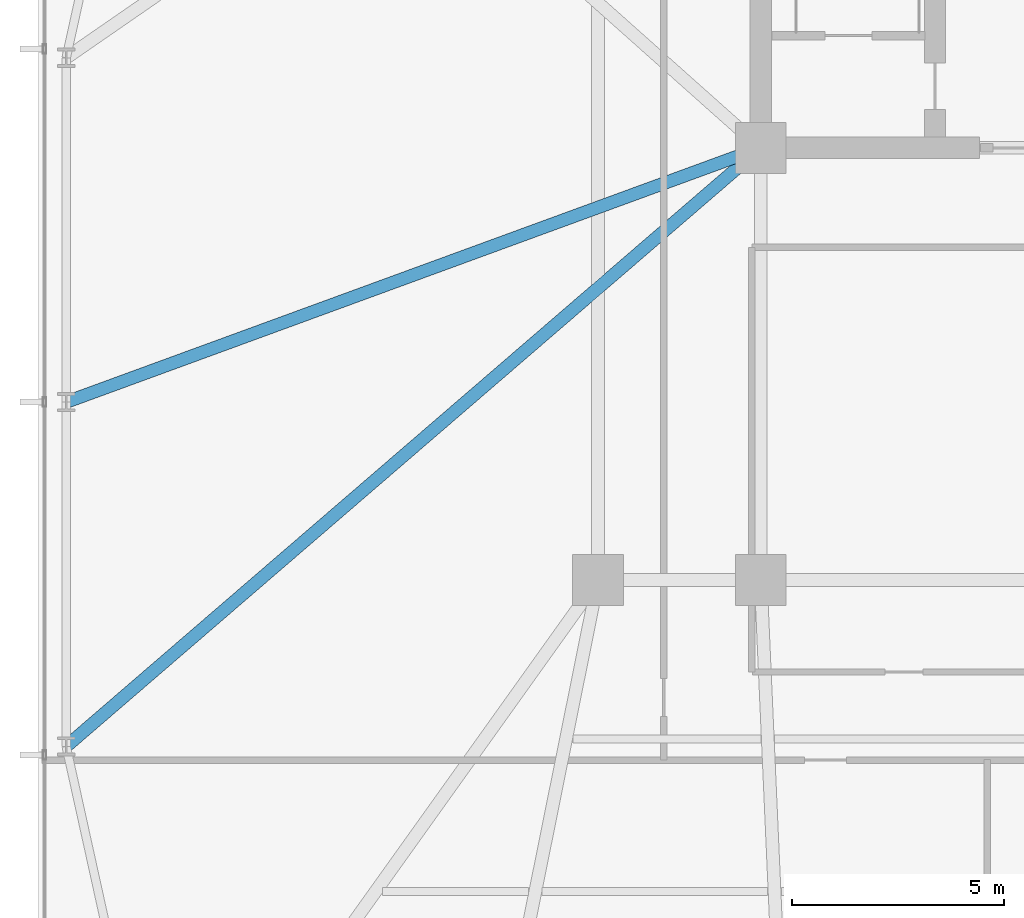
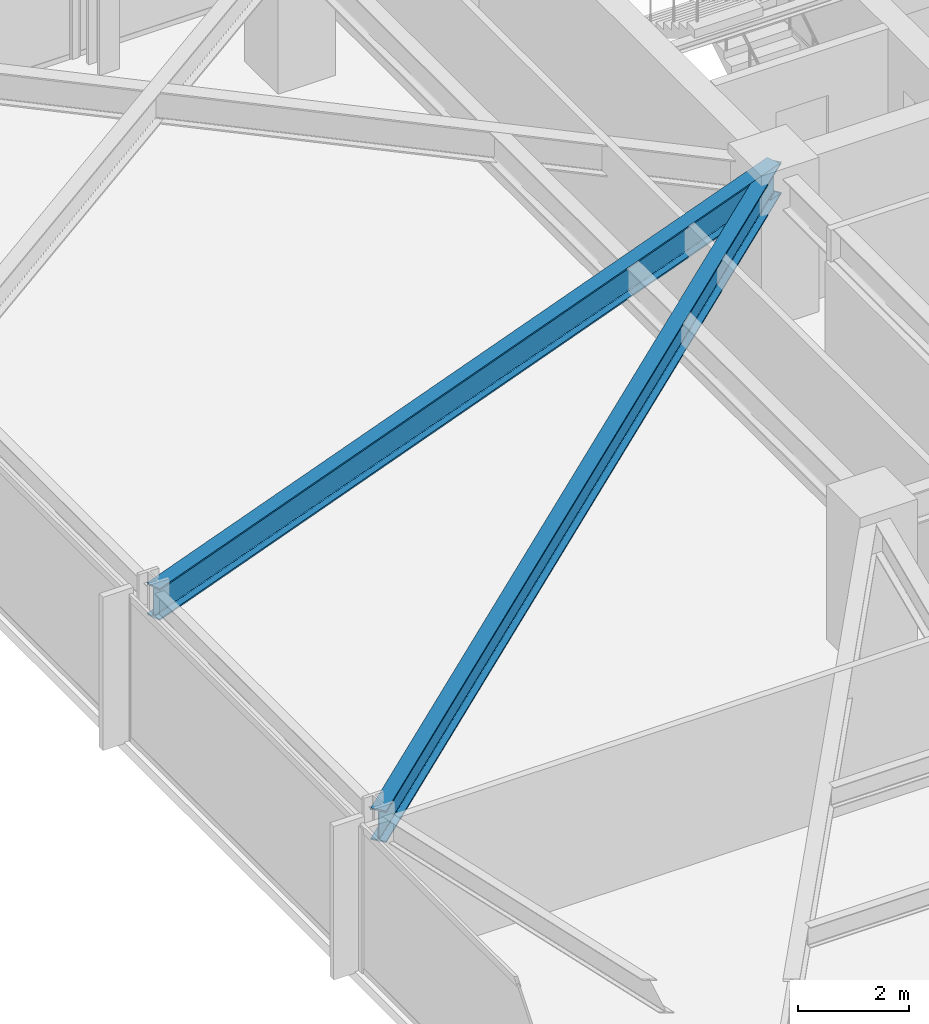
# One storey, part 8 of 32: 2 beams.
"""IFC4 building model written with IfcOpenShell, lengths in metres."""

from ifc_helpers import new_model, si_unit, direction, frame, origin, origin_2d, place, context, subcontext, project, spatial, i_section, extrude, material, material_profile, profile_set, type_object, element, save


model = new_model("IFC4")

# Units and contexts
model_context = context("Model", 3, precision=1e-05, world=origin(), true_north=direction((0.0, 1.0)))
body_context = subcontext(model_context, "Body", "Model", "MODEL_VIEW")
ifc_project = project(units=[si_unit("LENGTHUNIT", "METRE"), si_unit("AREAUNIT", "SQUARE_METRE"), si_unit("VOLUMEUNIT", "CUBIC_METRE"), si_unit("PLANEANGLEUNIT", "RADIAN"), si_unit("MASSUNIT", "GRAM", prefix="KILO")], contexts=[model_context])

# Site, building, storey
site_placement = place(None, origin())
site = spatial("IfcSite", under=ifc_project, at=site_placement, CompositionType="ELEMENT")
building_placement = place(site_placement, origin())
building = spatial("IfcBuilding", under=site, at=building_placement, Name="Yelkora Congress Tower", CompositionType="ELEMENT")
storey_placement = place(building_placement, frame((0.0, 0.0, 40.60009765625)))
storey = spatial("IfcBuildingStorey", under=building, at=storey_placement, Name="L09", CompositionType="ELEMENT", Elevation=40.60009765625)

# Beams
ifc_material = material(Name="Steel S355J2", Category="steel")
ifc_material_profile = material_profile(ifc_material, i_section(OverallWidth=0.300048828125, OverallDepth=0.699951171875, WebThickness=0.01708984375, FlangeThickness=0.031982421875, FilletRadius=0.027099609375, at=origin_2d()), Name="HEB 700")
ifc_profile_set = profile_set([ifc_material_profile], Name="Steel S355J2")
beam_type = type_object("IfcBeamType", Name="BM-GIRD-HEB700", PredefinedType="BEAM", material=ifc_profile_set)
beam_1_placement = place(storey_placement, frame((6.64990234375, 21.27490234375, 2.829833984375), z_axis=(0.757511165967, 0.652822206604, 0.0), x_axis=(-0.652822206604, 0.757511165967, 0.0)))
element("IfcBeam", 1, at=beam_1_placement, inside=storey, type_object=beam_type, Name="L09 Primary Frame Girder W01", PredefinedType="BEAM", context=body_context, shape_type="SweptSolid", body=[
    extrude(i_section(OverallWidth=0.300048828125, OverallDepth=0.699951171875, WebThickness=0.01708984375, FlangeThickness=0.031982421875, FilletRadius=0.027099609375, at=origin_2d()), origin(), (0.0, 0.0, 1.0), 21.63671875),
])
beam_2_placement = place(storey_placement, frame((6.64990234375, 29.39990234375, 2.829833984375), z_axis=(0.939056124561, 0.343763865064, 0.0), x_axis=(-0.343763865064, 0.939056124561, 0.0)))
element("IfcBeam", 2, at=beam_2_placement, inside=storey, type_object=beam_type, Name="L09 Primary Frame Girder W02", PredefinedType="BEAM", context=body_context, shape_type="SweptSolid", body=[
    extrude(i_section(OverallWidth=0.300048828125, OverallDepth=0.699951171875, WebThickness=0.01708984375, FlangeThickness=0.031982421875, FilletRadius=0.027099609375, at=origin_2d()), origin(), (0.0, 0.0, 1.0), 17.453857421875),
])

save(model, "model.ifc")
